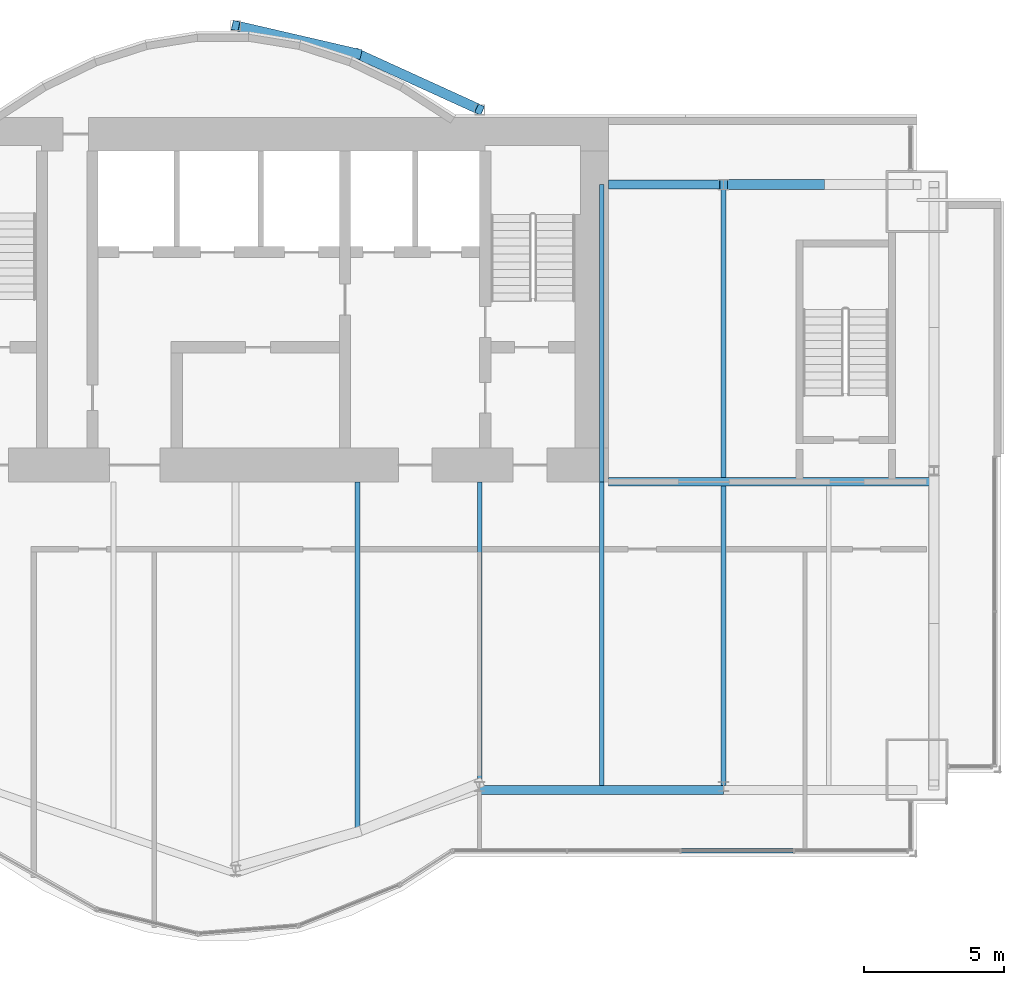
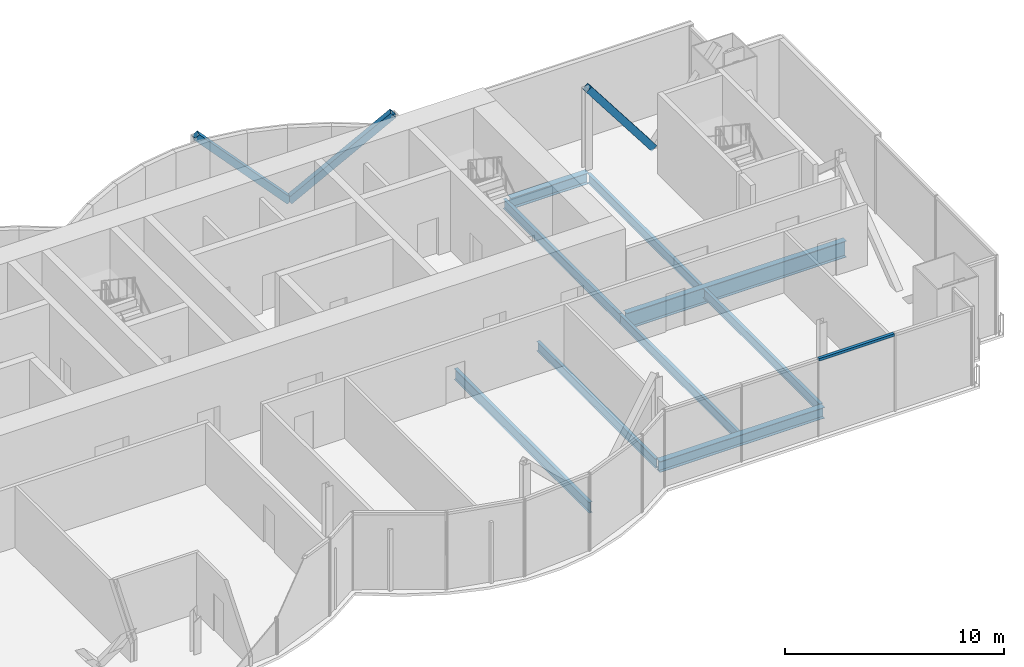
# One storey, part 9 of 18: 9 beams, 4 members, 1 element without a shape of its own.
"""IFC4 building model written with IfcOpenShell, lengths in metres."""

from ifc_helpers import new_model, si_unit, direction, frame, origin, origin_2d, place, context, subcontext, project, spatial, rectangle, hollow_rectangle, i_section, extrude, material, material_profile, profile_set, type_object, element, aggregate, save


model = new_model("IFC4")

# Units and contexts
model_context = context("Model", 3, precision=1e-05, world=origin(), true_north=direction((0.0, 1.0)))
body_context = subcontext(model_context, "Body", "Model", "MODEL_VIEW")
ifc_project = project(units=[si_unit("LENGTHUNIT", "METRE"), si_unit("AREAUNIT", "SQUARE_METRE"), si_unit("VOLUMEUNIT", "CUBIC_METRE"), si_unit("PLANEANGLEUNIT", "RADIAN"), si_unit("MASSUNIT", "GRAM", prefix="KILO")], contexts=[model_context])

# Site, building, storey
site_placement = place(None, origin())
site = spatial("IfcSite", under=ifc_project, at=site_placement, CompositionType="ELEMENT")
building_placement = place(site_placement, origin())
building = spatial("IfcBuilding", under=site, at=building_placement, Name="Bicima Exchange Tower", CompositionType="ELEMENT")
storey_placement = place(building_placement, frame((0.0, 0.0, 311.0)))
storey = spatial("IfcBuildingStorey", under=building, at=storey_placement, Name="L70", CompositionType="ELEMENT", Elevation=311.0)

# Beams
ifc_material_1 = material(Name="Steel ASTM A992 Gr 50", Category="steel")
ifc_material_profile_1 = material_profile(ifc_material_1, i_section(OverallWidth=0.3046875, OverallDepth=0.911865234375, WebThickness=0.015869140625, FlangeThickness=0.02392578125, at=origin_2d()))
ifc_profile_set_1 = profile_set([ifc_material_profile_1], Name="Steel ASTM A992 Gr 50")
beam_type_1 = type_object("IfcBeamType", Name="Core-line girder W36x150", PredefinedType="BEAM", material=ifc_profile_set_1)
beam_1_placement = place(storey_placement, frame((22.0, -13.0, -0.60595703125), z_axis=(1.0, 0.0, 0.0), x_axis=(0.0, 1.0, 0.0)))
element("IfcBeam", 1, at=beam_1_placement, inside=storey, type_object=beam_type_1, Name="Core-line girder", PredefinedType="BEAM", context=body_context, shape_type="SweptSolid", body=[
    extrude(i_section(OverallWidth=0.3046875, OverallDepth=0.911865234375, WebThickness=0.015869140625, FlangeThickness=0.02392578125, at=origin_2d()), origin(), (0.0, 0.0, 1.0), 11.60009765625),
])
ifc_material_profile_2 = material_profile(ifc_material_1, i_section(OverallWidth=0.165771484375, OverallDepth=0.5283203125, WebThickness=0.009765625, FlangeThickness=0.013671875, at=origin_2d()))
ifc_profile_set_2 = profile_set([ifc_material_profile_2], Name="Steel ASTM A992 Gr 50")
beam_type_2 = type_object("IfcBeamType", Name="Floor beam W21x50", PredefinedType="JOIST", material=ifc_profile_set_2)
beam_2_placement = place(storey_placement, frame((17.39990234375, -13.0, -0.414306640625), z_axis=(0.0, -1.0, 0.0), x_axis=(1.0, 0.0, 0.0)))
element("IfcBeam", 2, at=beam_2_placement, inside=storey, type_object=beam_type_2, Name="Floor beam", PredefinedType="JOIST", context=body_context, shape_type="SweptSolid", body=[
    extrude(i_section(OverallWidth=0.165771484375, OverallDepth=0.5283203125, WebThickness=0.009765625, FlangeThickness=0.013671875, at=origin_2d()), origin(), (0.0, 0.0, 1.0), 10.848388671875),
])
beam_3_placement = place(storey_placement, frame((21.75, -2.39990234375, -0.414306640625), z_axis=(0.0, -1.0, 0.0), x_axis=(1.0, 0.0, 0.0)))
element("IfcBeam", 3, at=beam_3_placement, inside=storey, type_object=beam_type_2, Name="Floor beam", PredefinedType="JOIST", context=body_context, shape_type="SweptSolid", body=[
    extrude(i_section(OverallWidth=0.165771484375, OverallDepth=0.5283203125, WebThickness=0.009765625, FlangeThickness=0.013671875, at=origin_2d()), origin(), (0.0, 0.0, 1.0), 10.60009765625),
])
beam_4_placement = place(storey_placement, frame((21.75, -13.0, -0.414306640625), z_axis=(0.0, -1.0, 0.0), x_axis=(1.0, 0.0, 0.0)))
element("IfcBeam", 4, at=beam_4_placement, inside=storey, type_object=beam_type_2, Name="Floor beam", PredefinedType="JOIST", context=body_context, shape_type="SweptSolid", body=[
    extrude(i_section(OverallWidth=0.165771484375, OverallDepth=0.5283203125, WebThickness=0.009765625, FlangeThickness=0.013671875, at=origin_2d()), origin(), (0.0, 0.0, 1.0), 10.8212890625),
])
beam_5_placement = place(storey_placement, frame((26.10009765625, -2.5625, -0.414306640625), z_axis=(0.0, -1.0, 0.0), x_axis=(1.0, 0.0, 0.0)))
element("IfcBeam", 5, at=beam_5_placement, inside=storey, type_object=beam_type_2, Name="Floor beam", PredefinedType="JOIST", context=body_context, shape_type="SweptSolid", body=[
    extrude(i_section(OverallWidth=0.165771484375, OverallDepth=0.5283203125, WebThickness=0.009765625, FlangeThickness=0.013671875, at=origin_2d()), origin(), (0.0, 0.0, 1.0), 10.28515625),
])
beam_6_placement = place(storey_placement, frame((26.10009765625, -13.15234375, -0.414306640625), z_axis=(0.0, -1.0, 0.0), x_axis=(1.0, 0.0, 0.0)))
element("IfcBeam", 6, at=beam_6_placement, inside=storey, type_object=beam_type_2, Name="Floor beam", PredefinedType="JOIST", context=body_context, shape_type="SweptSolid", body=[
    extrude(i_section(OverallWidth=0.165771484375, OverallDepth=0.5283203125, WebThickness=0.009765625, FlangeThickness=0.013671875, at=origin_2d()), origin(), (0.0, 0.0, 1.0), 10.6689453125),
])
ifc_material_profile_3 = material_profile(ifc_material_1, i_section(OverallWidth=0.177978515625, OverallDepth=0.599365234375, WebThickness=0.010009765625, FlangeThickness=0.012939453125, at=origin_2d()))
ifc_profile_set_3 = profile_set([ifc_material_profile_3], Name="Steel ASTM A992 Gr 50")
beam_type_3 = type_object("IfcBeamType", Name="Floor beam W24x55", PredefinedType="JOIST", material=ifc_profile_set_3)
beam_7_placement = place(storey_placement, frame((13.050048828125, -13.0, -0.44970703125), z_axis=(0.0, -1.0, 0.0), x_axis=(1.0, 0.0, 0.0)))
element("IfcBeam", 7, at=beam_7_placement, inside=storey, type_object=beam_type_3, Name="Floor beam", PredefinedType="JOIST", context=body_context, shape_type="SweptSolid", body=[
    extrude(i_section(OverallWidth=0.177978515625, OverallDepth=0.599365234375, WebThickness=0.010009765625, FlangeThickness=0.012939453125, at=origin_2d()), origin(), (0.0, 0.0, 1.0), 12.343994140625),
])
ifc_material_profile_4 = material_profile(ifc_material_1, i_section(OverallWidth=0.3251953125, OverallDepth=0.612060546875, WebThickness=0.0126953125, FlangeThickness=0.01904296875, at=origin_2d()))
ifc_profile_set_4 = profile_set([ifc_material_profile_4], Name="Steel ASTM A992 Gr 50")
beam_type_4 = type_object("IfcBeamType", Name="Front girder W24x104", PredefinedType="BEAM", material=ifc_profile_set_4)
beam_8_placement = place(storey_placement, frame((17.39990234375, -23.98388671875, -0.4560546875), z_axis=(1.0, 0.0, 0.0), x_axis=(0.0, 1.0, 0.0)))
element("IfcBeam", 8, at=beam_8_placement, inside=storey, type_object=beam_type_4, Name="Front girder", PredefinedType="BEAM", context=body_context, shape_type="SweptSolid", body=[
    extrude(i_section(OverallWidth=0.3251953125, OverallDepth=0.612060546875, WebThickness=0.0126953125, FlangeThickness=0.01904296875, at=origin_2d()), origin(), (0.0, 0.0, 1.0), 8.7001953125),
])

# Curtain wall, member
ifc_material_2 = material(Name="Anodised bronze aluminium", Category="aluminium")
curtain_wall_type = type_object("IfcCurtainWallType", Name="Front glass wall", PredefinedType="NOTDEFINED", material=ifc_material_2)
curtain_wall_placement = place(storey_placement, origin())
curtain_wall = element("IfcCurtainWall", 9, at=curtain_wall_placement, inside=storey, type_object=curtain_wall_type, Name="Front glass wall L70 run 16", PredefinedType="NOTDEFINED")
ifc_material_profile_5 = material_profile(ifc_material_2, rectangle(XDim=0.159912109375, YDim=0.139892578125, at=origin_2d()))
ifc_profile_set_5 = profile_set([ifc_material_profile_5], Name="Anodised bronze aluminium")
member_type_1 = type_object("IfcMemberType", Name="Front glass wall transom 140 x 160", PredefinedType="USERDEFINED", material=ifc_profile_set_5)
member_1_placement = place(storey_placement, frame((24.591064453125, -26.154052734375, 4.280029296875), z_axis=(1.0, 0.0, 0.0), x_axis=(0.0, 1.0, 0.0)))
member_1 = element("IfcMember", 10, at=member_1_placement, type_object=member_type_1, Name="Front glass wall transom 3.1", ObjectType="TRANSOM", PredefinedType="USERDEFINED", context=body_context, shape_type="SweptSolid", body=[
    extrude(rectangle(XDim=0.159912109375, YDim=0.139892578125, at=origin_2d()), origin(), (0.0, 0.0, 1.0), 3.989501953125),
])
aggregate(curtain_wall, [member_1])

# Members
ifc_material_3 = material(Name="Steel ASTM A572 Gr 50", Category="steel")
ifc_material_profile_6 = material_profile(ifc_material_3, hollow_rectangle(XDim=0.355712890625, YDim=0.355712890625, WallThickness=0.01171875, at=origin_2d()))
ifc_profile_set_6 = profile_set([ifc_material_profile_6], Name="Steel ASTM A572 Gr 50")
member_type_2 = type_object("IfcMemberType", Name="Mega brace HSS14x14x1/2", PredefinedType="BRACE", material=ifc_profile_set_6)
member_2_placement = place(storey_placement, frame((13.050048828125, 2.262451171875, 0.0), z_axis=(0.662507516739, -0.302231638101, 0.685375683254), x_axis=(0.415045223819, 0.909800781592, 0.0)))
element("IfcMember", 11, at=member_2_placement, inside=storey, type_object=member_type_2, Name="Mega brace rexo", PredefinedType="BRACE", context=body_context, shape_type="SweptSolid", body=[
    extrude(hollow_rectangle(XDim=0.355712890625, YDim=0.355712890625, WallThickness=0.01171875, at=origin_2d()), origin(), (0.0, 0.0, 1.0), 6.565673828125),
])
member_3_placement = place(storey_placement, frame((13.050048828125, 2.262451171875, 0.0), z_axis=(-0.686212303743, 0.158786245837, 0.709858860848), x_axis=(-0.225438503722, -0.974257399787, 0.0)))
element("IfcMember", 12, at=member_3_placement, inside=storey, type_object=member_type_2, Name="Mega brace rexo", PredefinedType="BRACE", context=body_context, shape_type="SweptSolid", body=[
    extrude(hollow_rectangle(XDim=0.355712890625, YDim=0.355712890625, WallThickness=0.01171875, at=origin_2d()), origin(), (0.0, 0.0, 1.0), 6.33935546875),
])
member_4_placement = place(storey_placement, frame((29.550048828125, -2.39990234375, 0.0), z_axis=(-0.608426120198, 0.0, 0.793610519248), x_axis=(0.0, -1.0, 0.0)))
element("IfcMember", 13, at=member_4_placement, inside=storey, type_object=member_type_2, Name="Mega brace rear", PredefinedType="BRACE", context=body_context, shape_type="SweptSolid", body=[
    extrude(hollow_rectangle(XDim=0.355712890625, YDim=0.355712890625, WallThickness=0.01171875, at=origin_2d()), origin(), (0.0, 0.0, 1.0), 5.670166015625),
])

# Beam
beam_type_5 = type_object("IfcBeamType", Name="Rear girder W24x104", PredefinedType="BEAM", material=ifc_profile_set_4)
beam_9_placement = place(storey_placement, frame((22.0, -2.39990234375, -0.4560546875), z_axis=(1.0, 0.0, 0.0), x_axis=(0.0, 1.0, 0.0)))
element("IfcBeam", 14, at=beam_9_placement, inside=storey, type_object=beam_type_5, Name="Rear girder", PredefinedType="BEAM", context=body_context, shape_type="SweptSolid", body=[
    extrude(i_section(OverallWidth=0.3251953125, OverallDepth=0.612060546875, WebThickness=0.0126953125, FlangeThickness=0.01904296875, at=origin_2d()), origin(), (0.0, 0.0, 1.0), 4.10009765625),
])

save(model, "model.ifc")
